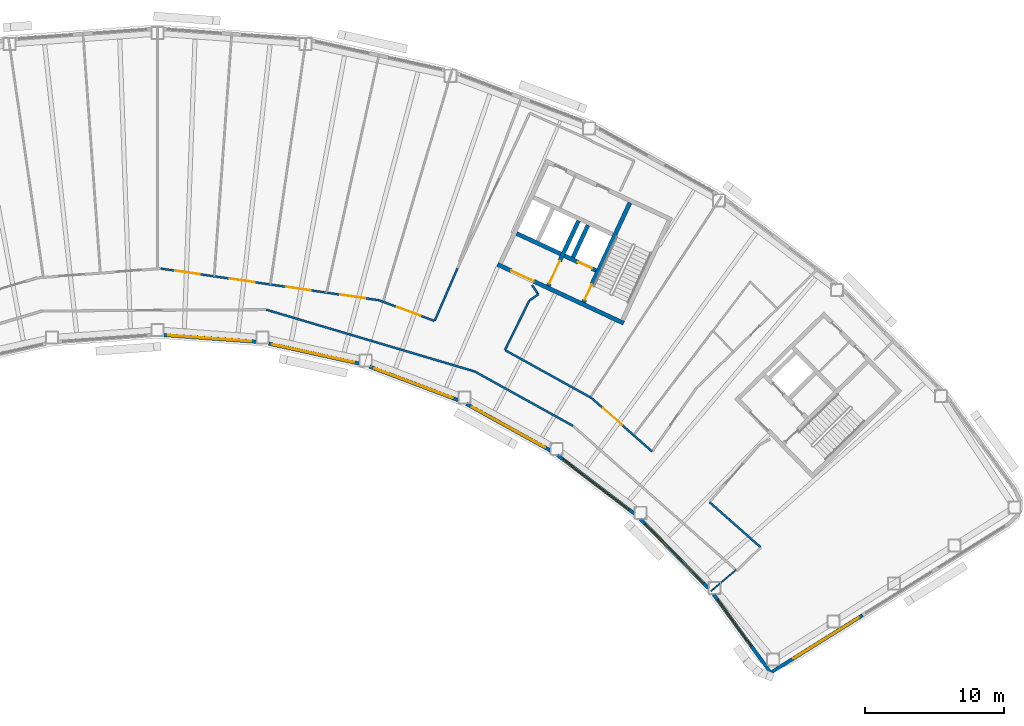
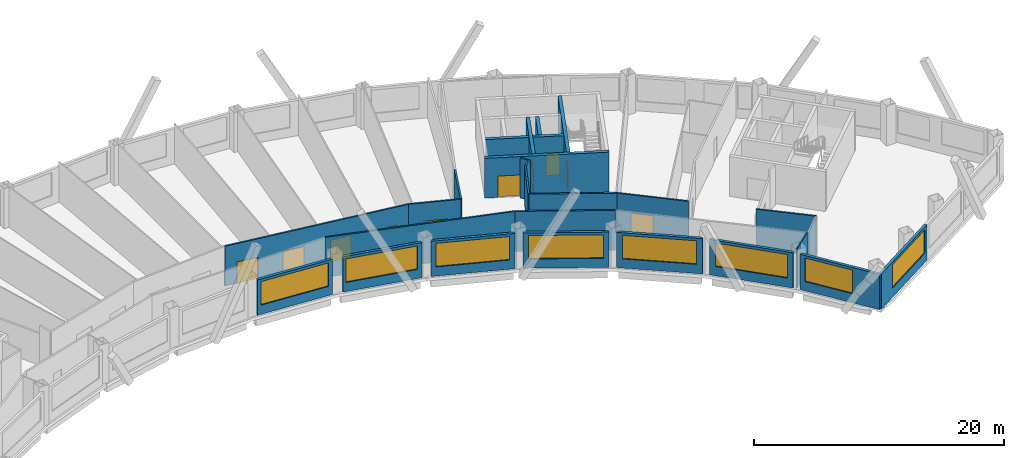
# One storey, part 8 of 13: 26 walls, 10 doors, 8 windows, 18 openings.
"""IFC4 building model written with IfcOpenShell, lengths in metres."""

from ifc_helpers import new_model, si_unit, direction, frame, frame_2d, origin, place, context, subcontext, project, spatial, rectangle, extrude, material, layer, layer_set, type_object, element, fill, save


model = new_model("IFC4")

# Units and contexts
model_context = context("Model", 3, precision=1e-05, world=origin(), true_north=direction((0.0, 1.0)))
body_context = subcontext(model_context, "Body", "Model", "MODEL_VIEW")
ifc_project = project(units=[si_unit("LENGTHUNIT", "METRE"), si_unit("AREAUNIT", "SQUARE_METRE"), si_unit("VOLUMEUNIT", "CUBIC_METRE"), si_unit("PLANEANGLEUNIT", "RADIAN"), si_unit("MASSUNIT", "GRAM", prefix="KILO")], contexts=[model_context])

# Site, building, storey
site_placement = place(None, origin())
site = spatial("IfcSite", under=ifc_project, at=site_placement, CompositionType="ELEMENT")
building_placement = place(site_placement, origin())
building = spatial("IfcBuilding", under=site, at=building_placement, Name="Tuul Gate Civic Tower", CompositionType="ELEMENT")
storey_placement = place(building_placement, frame((0.0, 0.0, 180.5)))
storey = spatial("IfcBuildingStorey", under=building, at=storey_placement, Name="Level 41", CompositionType="ELEMENT", Elevation=180.5)

# Wall, opening, door
ifc_material_1 = material(Name="Concrete C50/60", Category="concrete")
ifc_layer_1 = layer(ifc_material_1, 0.300048828125)
ifc_layer_set_1 = layer_set([ifc_layer_1], Name="Concrete C50/60")
wall_type_1 = type_object("IfcWallType", Name="Core wall C50/60", PredefinedType="SHEAR", material=ifc_layer_set_1)
wall_1_placement = place(storey_placement, frame((34.5283203125, -7.25, 0.0), z_axis=(0.0, 0.0, 1.0), x_axis=(-0.906310338845, 0.422612789327, 0.0)))
wall_1 = element("IfcWall", 1, at=wall_1_placement, inside=storey, type_object=wall_type_1, Name="Core wall", PredefinedType="SHEAR", context=body_context, shape_type="SweptSolid", body=[
    extrude(rectangle(XDim=9.999755859375, YDim=0.300048828125, at=frame_2d((5.0, 0.0))), origin(), (0.0, 0.0, 1.0), 3.89990234375),
])
opening_1_placement = place(wall_1_placement, frame((7.125, 0.0, 0.0)))
opening_1 = element("IfcOpeningElement", 2, at=opening_1_placement, cuts=wall_1, Name="Opening LB-E3-LOBBY-1", PredefinedType="OPENING", context=body_context, shape_type="SweptSolid", body=[
    extrude(rectangle(XDim=1.800048828125, YDim=2.10009765625, at=frame_2d((0.89990234375, 1.050048828125))), frame((0.0, 0.16015625, 0.0), z_axis=(0.0, -1.0, 0.0), x_axis=(1.0, 0.0, 0.0)), (0.0, 0.0, 1.0), 0.320068359375),
])
ifc_material_2 = material(Name="Steel", Category="steel")
door_type_1 = type_object("IfcDoorType", Name="Lobby door", OperationType="DOUBLE_DOOR_SINGLE_SWING", PredefinedType="DOOR", material=ifc_material_2)
door_1_placement = place(opening_1_placement, frame((1.800048828125, 0.0, 0.0), z_axis=(0.0, 0.0, 1.0), x_axis=(-1.0, 0.0, 0.0)))
door_1 = element("IfcDoor", 3, at=door_1_placement, inside=storey, type_object=door_type_1, Name="Lobby door E3-LOBBY", OperationType="DOUBLE_DOOR_SINGLE_SWING", OverallHeight=2.10009765625, OverallWidth=1.800048828125, PredefinedType="DOOR", context=body_context, shape_type="SweptSolid", body=[
    extrude(rectangle(XDim=1.800048828125, YDim=2.10009765625, at=frame_2d((0.900146484375, 1.050048828125))), frame((0.0, 0.02490234375, 0.0), z_axis=(0.0, -1.0, 0.0), x_axis=(1.0, 0.0, 0.0)), (0.0, 0.0, 1.0), 0.050048828125),
])
fill(opening_1, door_1)

wall_2_placement = place(storey_placement, frame((32.545654296875, -3.456787109375, 0.0), z_axis=(0.0, 0.0, 1.0), x_axis=(-0.906300357825, 0.42263419337, 0.0)))
wall_2 = element("IfcWall", 4, at=wall_2_placement, inside=storey, type_object=wall_type_1, Name="Core wall", PredefinedType="SHEAR", context=body_context, shape_type="SweptSolid", body=[
    extrude(rectangle(XDim=2.500244140625, YDim=0.300048828125, at=frame_2d((1.25, 0.0))), origin(), (0.0, 0.0, 1.0), 3.89990234375),
])
opening_2_placement = place(wall_2_placement, frame((0.324951171875, 0.0, 0.0)))
opening_2 = element("IfcOpeningElement", 5, at=opening_2_placement, cuts=wall_2, Name="Opening LD-FF-2", PredefinedType="OPENING", context=body_context, shape_type="SweptSolid", body=[
    extrude(rectangle(XDim=1.10009765625, YDim=2.10009765625, at=frame_2d((0.550048828125, 1.050048828125))), frame((0.0, 0.16015625, 0.0), z_axis=(0.0, -1.0, 0.0), x_axis=(1.0, 0.0, 0.0)), (0.0, 0.0, 1.0), 0.320068359375),
])
ifc_material_3 = material(Name="Stainless steel", Category="steel")
door_type_2 = type_object("IfcDoorType", Name="Landing door", OperationType="DOUBLE_DOOR_SLIDING", PredefinedType="DOOR", material=ifc_material_3)
door_2_placement = place(opening_2_placement, origin())
door_2 = element("IfcDoor", 6, at=door_2_placement, inside=storey, type_object=door_type_2, Name="Fire-fighting lift FF-2 landing door", OperationType="DOUBLE_DOOR_SLIDING", OverallHeight=2.10009765625, OverallWidth=1.10009765625, PredefinedType="DOOR", context=body_context, shape_type="SweptSolid", body=[
    extrude(rectangle(XDim=1.10009765625, YDim=2.10009765625, at=frame_2d((0.550048828125, 1.050048828125))), frame((0.0, 0.02490234375, 0.0), z_axis=(0.0, -1.0, 0.0), x_axis=(1.0, 0.0, 0.0)), (0.0, 0.0, 1.0), 0.050048828125),
])
fill(opening_2, door_2)

# Wall
wall_3_placement = place(storey_placement, frame((30.0078125, -2.2734375, 0.0), z_axis=(0.0, 0.0, 1.0), x_axis=(-0.90630071767, 0.422633421716, 0.0)))
element("IfcWall", 7, at=wall_3_placement, inside=storey, type_object=wall_type_1, Name="Core wall", PredefinedType="SHEAR", context=body_context, shape_type="SweptSolid", body=[
    extrude(rectangle(XDim=3.5, YDim=0.300048828125, at=frame_2d((1.75, 0.0))), origin(), (0.0, 0.0, 1.0), 3.89990234375),
])

# Wall, opening, door
wall_4_placement = place(storey_placement, frame((31.646240234375, -5.740478515625, 0.0), z_axis=(0.0, 0.0, 1.0), x_axis=(0.422582604137, 0.906324413596, 0.0)))
wall_4 = element("IfcWall", 8, at=wall_4_placement, inside=storey, type_object=wall_type_1, Name="Core wall", PredefinedType="SHEAR", context=body_context, shape_type="SweptSolid", body=[
    extrude(rectangle(XDim=7.89990234375, YDim=0.300048828125, at=frame_2d((3.949951171875, 0.0))), origin(), (0.0, 0.0, 1.0), 3.89990234375),
])
opening_3_placement = place(wall_4_placement, frame((0.199951171875, 0.0, 0.0)))
opening_3 = element("IfcOpeningElement", 9, at=opening_3_placement, cuts=wall_4, Name="Opening SD-ST-4", PredefinedType="OPENING", context=body_context, shape_type="SweptSolid", body=[
    extrude(rectangle(XDim=1.199951171875, YDim=2.10009765625, at=frame_2d((0.60009765625, 1.050048828125))), frame((0.0, 0.16015625, 0.0), z_axis=(0.0, -1.0, 0.0), x_axis=(1.0, 0.0, 0.0)), (0.0, 0.0, 1.0), 0.320068359375),
])
ifc_material_4 = material(Name="Steel", Category="steel")
door_type_3 = type_object("IfcDoorType", Name="Stair door", OperationType="NOTDEFINED", PredefinedType="DOOR", material=ifc_material_4)
door_3_placement = place(opening_3_placement, origin())
door_3 = element("IfcDoor", 10, at=door_3_placement, inside=storey, type_object=door_type_3, Name="Stair door ST-4", OperationType="SINGLE_SWING_LEFT", OverallHeight=2.10009765625, OverallWidth=1.199951171875, PredefinedType="DOOR", context=body_context, shape_type="SweptSolid", body=[
    extrude(rectangle(XDim=1.199951171875, YDim=2.10009765625, at=frame_2d((0.60009765625, 1.050048828125))), frame((0.0, 0.02490234375, 0.0), z_axis=(0.0, -1.0, 0.0), x_axis=(1.0, 0.0, 0.0)), (0.0, 0.0, 1.0), 0.050048828125),
])
fill(opening_3, door_3)

# Wall
wall_5_placement = place(storey_placement, frame((30.886962890625, -2.517822265625, 0.0), z_axis=(0.0, 0.0, 1.0), x_axis=(0.422612891016, 0.906310291427, 0.0)))
element("IfcWall", 11, at=wall_5_placement, inside=storey, type_object=wall_type_1, Name="Core wall", PredefinedType="SHEAR", context=body_context, shape_type="SweptSolid", body=[
    extrude(rectangle(XDim=2.550048828125, YDim=0.300048828125, at=frame_2d((1.27490234375, 0.0))), origin(), (0.0, 0.0, 1.0), 3.89990234375),
])

# Wall, opening, door
wall_6_placement = place(storey_placement, frame((29.108642578125, -4.557373046875, 0.0), z_axis=(0.0, 0.0, 1.0), x_axis=(0.422566235356, 0.90633204552, 0.0)))
wall_6 = element("IfcWall", 12, at=wall_6_placement, inside=storey, type_object=wall_type_1, Name="Core wall", PredefinedType="SHEAR", context=body_context, shape_type="SweptSolid", body=[
    extrude(rectangle(XDim=5.150146484375, YDim=0.300048828125, at=frame_2d((2.5751953125, 0.0))), origin(), (0.0, 0.0, 1.0), 3.89990234375),
])
opening_4_placement = place(wall_6_placement, frame((0.175048828125, 0.0, 0.0)))
opening_4 = element("IfcOpeningElement", 13, at=opening_4_placement, cuts=wall_6, Name="Opening LB-E3-FLOBBY-1", PredefinedType="OPENING", context=body_context, shape_type="SweptSolid", body=[
    extrude(rectangle(XDim=1.800048828125, YDim=2.10009765625, at=frame_2d((0.89990234375, 1.050048828125))), frame((0.0, 0.16015625, 0.0), z_axis=(0.0, -1.0, 0.0), x_axis=(1.0, 0.0, 0.0)), (0.0, 0.0, 1.0), 0.320068359375),
])
door_4_placement = place(opening_4_placement, frame((1.800048828125, 0.0, 0.0), z_axis=(0.0, 0.0, 1.0), x_axis=(-1.0, 0.0, 0.0)))
door_4 = element("IfcDoor", 14, at=door_4_placement, inside=storey, type_object=door_type_1, Name="Lobby door E3-FLOBBY", OperationType="DOUBLE_DOOR_SINGLE_SWING", OverallHeight=2.10009765625, OverallWidth=1.800048828125, PredefinedType="DOOR", context=body_context, shape_type="SweptSolid", body=[
    extrude(rectangle(XDim=1.800048828125, YDim=2.10009765625, at=frame_2d((0.900146484375, 1.050048828125))), frame((0.0, 0.02490234375, 0.0), z_axis=(0.0, -1.0, 0.0), x_axis=(1.0, 0.0, 0.0)), (0.0, 0.0, 1.0), 0.050048828125),
])
fill(opening_4, door_4)

ifc_material_5 = material(Name="Gypsum board partition")
ifc_layer_2 = layer(ifc_material_5, 0.14990234375)
ifc_layer_set_2 = layer_set([ifc_layer_2], Name="Gypsum board partition")
wall_type_2 = type_object("IfcWallType", Name="Corridor wall P150", PredefinedType="PARTITIONING", material=ifc_layer_set_2)
wall_7_placement = place(storey_placement, frame((32.206298828125, -12.62255859375, 0.0), z_axis=(0.0, 0.0, 1.0), x_axis=(0.749813421026, -0.661649328307, 0.0)))
wall_7 = element("IfcWall", 15, at=wall_7_placement, inside=storey, type_object=wall_type_2, Name="p003", PredefinedType="PARTITIONING", context=body_context, shape_type="SweptSolid", body=[
    extrude(rectangle(XDim=5.831787109375, YDim=0.14990234375, at=frame_2d((2.916015625, 0.0))), origin(), (0.0, 0.0, 1.0), 3.89990234375),
])
opening_5_placement = place(wall_7_placement, frame((1.123046875, 0.0, 0.0)))
opening_5 = element("IfcOpeningElement", 16, at=opening_5_placement, cuts=wall_7, Name="Opening O-D03", PredefinedType="OPENING", context=body_context, shape_type="SweptSolid", body=[
    extrude(rectangle(XDim=1.800048828125, YDim=2.10009765625, at=frame_2d((0.89990234375, 1.050048828125))), frame((0.0, 0.0849609375, 0.0), z_axis=(0.0, -1.0, 0.0), x_axis=(1.0, 0.0, 0.0)), (0.0, 0.0, 1.0), 0.169921875),
])
ifc_material_6 = material(Name="Timber door leaf, double", Category="wood")
door_type_4 = type_object("IfcDoorType", Name="Door D18", OperationType="DOUBLE_DOOR_SINGLE_SWING", PredefinedType="DOOR", material=ifc_material_6)
door_5_placement = place(opening_5_placement, origin())
door_5 = element("IfcDoor", 17, at=door_5_placement, inside=storey, type_object=door_type_4, Name="Door O-D03", OperationType="DOUBLE_DOOR_SINGLE_SWING", OverallHeight=2.10009765625, OverallWidth=1.800048828125, PredefinedType="DOOR", context=body_context, shape_type="SweptSolid", body=[
    extrude(rectangle(XDim=1.800048828125, YDim=2.10009765625, at=frame_2d((0.89990234375, 1.050048828125))), frame((0.0, 0.02490234375, 0.0), z_axis=(0.0, -1.0, 0.0), x_axis=(1.0, 0.0, 0.0)), (0.0, 0.0, 1.0), 0.050048828125),
])
fill(opening_5, door_5)

# Walls
wall_8_placement = place(storey_placement, frame((40.717041015625, -20.132568359375, 0.0), z_axis=(0.0, 0.0, 1.0), x_axis=(0.749820408887, -0.661641409237, 0.0)))
element("IfcWall", 18, at=wall_8_placement, inside=storey, type_object=wall_type_2, Name="p004", PredefinedType="PARTITIONING", context=body_context, shape_type="SweptSolid", body=[
    extrude(rectangle(XDim=4.900634765625, YDim=0.14990234375, at=frame_2d((2.4501953125, 0.0))), origin(), (0.0, 0.0, 1.0), 3.89990234375),
])
wall_9_placement = place(storey_placement, frame((26.01025390625, -9.193603515625, 0.0), z_axis=(0.0, 0.0, 1.0), x_axis=(0.874952938099, -0.484207967832, 0.0)))
element("IfcWall", 19, at=wall_9_placement, inside=storey, type_object=wall_type_2, Name="p014", PredefinedType="PARTITIONING", context=body_context, shape_type="SweptSolid", body=[
    extrude(rectangle(XDim=7.08154296875, YDim=0.14990234375, at=frame_2d((3.540771484375, 0.0))), origin(), (0.0, 0.0, 1.0), 3.89990234375),
])
wall_10_placement = place(storey_placement, frame((26.001953125, -9.167236328125, 0.0), z_axis=(0.0, 0.0, 1.0), x_axis=(0.441987219409, 0.897021347505, 0.0)))
element("IfcWall", 20, at=wall_10_placement, inside=storey, type_object=wall_type_2, Name="p017", PredefinedType="PARTITIONING", context=body_context, shape_type="SweptSolid", body=[
    extrude(rectangle(XDim=3.9482421875, YDim=0.14990234375, at=frame_2d((1.97412109375, 0.0))), origin(), (0.0, 0.0, 1.0), 3.89990234375),
])
wall_11_placement = place(storey_placement, frame((27.753662109375, -5.617919921875, 0.0), z_axis=(0.0, 0.0, 1.0), x_axis=(0.823348675127, 0.567535865973, 0.0)))
element("IfcWall", 21, at=wall_11_placement, inside=storey, type_object=wall_type_2, Name="p018", PredefinedType="PARTITIONING", context=body_context, shape_type="SweptSolid", body=[
    extrude(rectangle(XDim=0.78173828125, YDim=0.14990234375, at=frame_2d((0.390869140625, 0.0))), origin(), (0.0, 0.0, 1.0), 3.89990234375),
])
wall_12_placement = place(storey_placement, frame((27.939453125, -4.509033203125, 0.0), z_axis=(0.0, 0.0, 1.0), x_axis=(0.567478453598, -0.823388246638, 0.0)))
element("IfcWall", 22, at=wall_12_placement, inside=storey, type_object=wall_type_2, Name="p019", PredefinedType="PARTITIONING", context=body_context, shape_type="SweptSolid", body=[
    extrude(rectangle(XDim=0.80712890625, YDim=0.14990234375, at=frame_2d((0.403564453125, 0.0))), origin(), (0.0, 0.0, 1.0), 3.89990234375),
])
wall_13_placement = place(storey_placement, frame((20.9423828125, -7.07421875, 0.0), z_axis=(0.0, 0.0, 1.0), x_axis=(0.397708945577, 0.917511631865, 0.0)))
element("IfcWall", 23, at=wall_13_placement, inside=storey, type_object=wall_type_2, Name="p025", PredefinedType="PARTITIONING", context=body_context, shape_type="SweptSolid", body=[
    extrude(rectangle(XDim=4.1171875, YDim=0.14990234375, at=frame_2d((2.05859375, 0.0))), origin(), (0.0, 0.0, 1.0), 3.89990234375),
])

# Wall, opening, door
wall_14_placement = place(storey_placement, frame((16.92041015625, -5.599609375, 0.0), z_axis=(0.0, 0.0, 1.0), x_axis=(0.937337134743, -0.348423730294, 0.0)))
wall_14 = element("IfcWall", 24, at=wall_14_placement, inside=storey, type_object=wall_type_2, Name="p028", PredefinedType="PARTITIONING", context=body_context, shape_type="SweptSolid", body=[
    extrude(rectangle(XDim=4.263671875, YDim=0.14990234375, at=frame_2d((2.1318359375, 0.0))), origin(), (0.0, 0.0, 1.0), 3.89990234375),
])
opening_6_placement = place(wall_14_placement, frame((1.39599609375, 0.0, 0.0)))
opening_6 = element("IfcOpeningElement", 25, at=opening_6_placement, cuts=wall_14, Name="Opening O-D05", PredefinedType="OPENING", context=body_context, shape_type="SweptSolid", body=[
    extrude(rectangle(XDim=1.800048828125, YDim=2.10009765625, at=frame_2d((0.89990234375, 1.050048828125))), frame((0.0, 0.0849609375, 0.0), z_axis=(0.0, -1.0, 0.0), x_axis=(1.0, 0.0, 0.0)), (0.0, 0.0, 1.0), 0.169921875),
])
door_6_placement = place(opening_6_placement, origin())
door_6 = element("IfcDoor", 26, at=door_6_placement, inside=storey, type_object=door_type_4, Name="Door O-D05", OperationType="DOUBLE_DOOR_SINGLE_SWING", OverallHeight=2.10009765625, OverallWidth=1.800048828125, PredefinedType="DOOR", context=body_context, shape_type="SweptSolid", body=[
    extrude(rectangle(XDim=1.800048828125, YDim=2.10009765625, at=frame_2d((0.89990234375, 1.050048828125))), frame((0.0, 0.02490234375, 0.0), z_axis=(0.0, -1.0, 0.0), x_axis=(1.0, 0.0, 0.0)), (0.0, 0.0, 1.0), 0.050048828125),
])
fill(opening_6, door_6)

# Wall, openings, doors
wall_15_placement = place(storey_placement, frame((1.2314453125, -3.321044921875, 0.0), z_axis=(0.0, 0.0, 1.0), x_axis=(0.98961816438, -0.143721566678, 0.0)))
wall_15 = element("IfcWall", 27, at=wall_15_placement, inside=storey, type_object=wall_type_2, Name="p030", PredefinedType="PARTITIONING", context=body_context, shape_type="SweptSolid", body=[
    extrude(rectangle(XDim=15.852294921875, YDim=0.14990234375, at=frame_2d((7.92626953125, 0.0))), origin(), (0.0, 0.0, 1.0), 3.89990234375),
])
opening_7_placement = place(wall_15_placement, frame((13.0537109375, 0.0, 0.0)))
opening_7 = element("IfcOpeningElement", 28, at=opening_7_placement, cuts=wall_15, Name="Opening O-D06", PredefinedType="OPENING", context=body_context, shape_type="SweptSolid", body=[
    extrude(rectangle(XDim=1.800048828125, YDim=2.10009765625, at=frame_2d((0.89990234375, 1.050048828125))), frame((0.0, 0.0849609375, 0.0), z_axis=(0.0, -1.0, 0.0), x_axis=(1.0, 0.0, 0.0)), (0.0, 0.0, 1.0), 0.169921875),
])
opening_8_placement = place(wall_15_placement, frame((9.1123046875, 0.0, 0.0)))
opening_8 = element("IfcOpeningElement", 29, at=opening_8_placement, cuts=wall_15, Name="Opening O-D07", PredefinedType="OPENING", context=body_context, shape_type="SweptSolid", body=[
    extrude(rectangle(XDim=1.800048828125, YDim=2.10009765625, at=frame_2d((0.89990234375, 1.050048828125))), frame((0.0, 0.0849609375, 0.0), z_axis=(0.0, -1.0, 0.0), x_axis=(1.0, 0.0, 0.0)), (0.0, 0.0, 1.0), 0.169921875),
])
opening_9_placement = place(wall_15_placement, frame((5.02685546875, 0.0, 0.0)))
opening_9 = element("IfcOpeningElement", 30, at=opening_9_placement, cuts=wall_15, Name="Opening O-D08", PredefinedType="OPENING", context=body_context, shape_type="SweptSolid", body=[
    extrude(rectangle(XDim=1.800048828125, YDim=2.10009765625, at=frame_2d((0.89990234375, 1.050048828125))), frame((0.0, 0.0849609375, 0.0), z_axis=(0.0, -1.0, 0.0), x_axis=(1.0, 0.0, 0.0)), (0.0, 0.0, 1.0), 0.169921875),
])
opening_10_placement = place(wall_15_placement, frame((1.0419921875, 0.0, 0.0)))
opening_10 = element("IfcOpeningElement", 31, at=opening_10_placement, cuts=wall_15, Name="Opening O-D09", PredefinedType="OPENING", context=body_context, shape_type="SweptSolid", body=[
    extrude(rectangle(XDim=1.800048828125, YDim=2.10009765625, at=frame_2d((0.89990234375, 1.050048828125))), frame((0.0, 0.0849609375, 0.0), z_axis=(0.0, -1.0, 0.0), x_axis=(1.0, 0.0, 0.0)), (0.0, 0.0, 1.0), 0.169921875),
])
door_7_placement = place(opening_7_placement, origin())
door_7 = element("IfcDoor", 32, at=door_7_placement, inside=storey, type_object=door_type_4, Name="Door O-D06", OperationType="DOUBLE_DOOR_SINGLE_SWING", OverallHeight=2.10009765625, OverallWidth=1.800048828125, PredefinedType="DOOR", context=body_context, shape_type="SweptSolid", body=[
    extrude(rectangle(XDim=1.800048828125, YDim=2.10009765625, at=frame_2d((0.89990234375, 1.050048828125))), frame((0.0, 0.02490234375, 0.0), z_axis=(0.0, -1.0, 0.0), x_axis=(1.0, 0.0, 0.0)), (0.0, 0.0, 1.0), 0.050048828125),
])
fill(opening_7, door_7)
door_8_placement = place(opening_8_placement, origin())
door_8 = element("IfcDoor", 33, at=door_8_placement, inside=storey, type_object=door_type_4, Name="Door O-D07", OperationType="DOUBLE_DOOR_SINGLE_SWING", OverallHeight=2.10009765625, OverallWidth=1.800048828125, PredefinedType="DOOR", context=body_context, shape_type="SweptSolid", body=[
    extrude(rectangle(XDim=1.800048828125, YDim=2.10009765625, at=frame_2d((0.89990234375, 1.050048828125))), frame((0.0, 0.02490234375, 0.0), z_axis=(0.0, -1.0, 0.0), x_axis=(1.0, 0.0, 0.0)), (0.0, 0.0, 1.0), 0.050048828125),
])
fill(opening_8, door_8)
door_9_placement = place(opening_9_placement, origin())
door_9 = element("IfcDoor", 34, at=door_9_placement, inside=storey, type_object=door_type_4, Name="Door O-D08", OperationType="DOUBLE_DOOR_SINGLE_SWING", OverallHeight=2.10009765625, OverallWidth=1.800048828125, PredefinedType="DOOR", context=body_context, shape_type="SweptSolid", body=[
    extrude(rectangle(XDim=1.800048828125, YDim=2.10009765625, at=frame_2d((0.89990234375, 1.050048828125))), frame((0.0, 0.02490234375, 0.0), z_axis=(0.0, -1.0, 0.0), x_axis=(1.0, 0.0, 0.0)), (0.0, 0.0, 1.0), 0.050048828125),
])
fill(opening_9, door_9)
door_10_placement = place(opening_10_placement, origin())
door_10 = element("IfcDoor", 35, at=door_10_placement, inside=storey, type_object=door_type_4, Name="Door O-D09", OperationType="DOUBLE_DOOR_SINGLE_SWING", OverallHeight=2.10009765625, OverallWidth=1.800048828125, PredefinedType="DOOR", context=body_context, shape_type="SweptSolid", body=[
    extrude(rectangle(XDim=1.800048828125, YDim=2.10009765625, at=frame_2d((0.89990234375, 1.050048828125))), frame((0.0, 0.02490234375, 0.0), z_axis=(0.0, -1.0, 0.0), x_axis=(1.0, 0.0, 0.0)), (0.0, 0.0, 1.0), 0.050048828125),
])
fill(opening_10, door_10)

# Walls
wall_16_placement = place(storey_placement, frame((8.817138671875, -6.277587890625, 0.0), z_axis=(0.0, 0.0, 1.0), x_axis=(0.958771503683, -0.284178119718, 0.0)))
element("IfcWall", 36, at=wall_16_placement, inside=storey, type_object=wall_type_2, Name="p064", PredefinedType="PARTITIONING", context=body_context, shape_type="SweptSolid", body=[
    extrude(rectangle(XDim=15.645263671875, YDim=0.14990234375, at=frame_2d((7.82275390625, 0.0))), origin(), (0.0, 0.0, 1.0), 3.89990234375),
])
wall_17_placement = place(storey_placement, frame((23.8212890625, -10.725341796875, 0.0), z_axis=(0.0, 0.0, 1.0), x_axis=(0.874970030344, -0.484177081243, 0.0)))
element("IfcWall", 37, at=wall_17_placement, inside=storey, type_object=wall_type_2, Name="p065", PredefinedType="PARTITIONING", context=body_context, shape_type="SweptSolid", body=[
    extrude(rectangle(XDim=8.078369140625, YDim=0.14990234375, at=frame_2d((4.0390625, 0.0))), origin(), (0.0, 0.0, 1.0), 3.89990234375),
])

# Wall, opening, window
ifc_material_7 = material(Name="Precast concrete C40/50", Category="concrete")
ifc_layer_3 = layer(ifc_material_7, 0.25)
ifc_layer_set_3 = layer_set([ifc_layer_3], Name="Precast concrete C40/50")
wall_type_3 = type_object("IfcWallType", Name="External wall", PredefinedType="STANDARD", material=ifc_layer_set_3)
wall_18_placement = place(storey_placement, frame((1.43994140625, -8.098388671875, 0.0), z_axis=(0.0, 0.0, 1.0), x_axis=(0.99738574908, -0.072261106633, 0.0)))
wall_18 = element("IfcWall", 38, at=wall_18_placement, inside=storey, type_object=wall_type_3, Name="External wall", PredefinedType="STANDARD", context=body_context, shape_type="SweptSolid", body=[
    extrude(rectangle(XDim=6.689697265625, YDim=0.25, at=frame_2d((3.3447265625, 0.0))), origin(), (0.0, 0.0, 1.0), 3.449951171875),
])
opening_11_placement = place(wall_18_placement, frame((0.3212890625, 0.0, 0.89990234375)))
opening_11 = element("IfcOpeningElement", 39, at=opening_11_placement, cuts=wall_18, Name="Opening W26", PredefinedType="OPENING", context=body_context, shape_type="SweptSolid", body=[
    extrude(rectangle(XDim=6.0, YDim=2.300048828125, at=frame_2d((3.0, 1.14990234375))), frame((0.0, 0.135009765625, 0.0), z_axis=(0.0, -1.0, 0.0), x_axis=(1.0, 0.0, 0.0)), (0.0, 0.0, 1.0), 0.27001953125),
])
ifc_material_8 = material(Name="Glass", Category="glass")
window_type_1 = type_object("IfcWindowType", Name="Window W26 6000 x 2300", PartitioningType="SINGLE_PANEL", PredefinedType="WINDOW", material=ifc_material_8)
window_1_placement = place(opening_11_placement, origin())
window_1 = element("IfcWindow", 40, at=window_1_placement, inside=storey, type_object=window_type_1, Name="Window", OverallHeight=2.300048828125, OverallWidth=6.0, PartitioningType="SINGLE_PANEL", PredefinedType="WINDOW", context=body_context, shape_type="SweptSolid", body=[
    extrude(rectangle(XDim=6.0, YDim=2.300048828125, at=frame_2d((3.0, 1.14990234375))), frame((0.0, 0.030029296875, 0.0), z_axis=(0.0, -1.0, 0.0), x_axis=(1.0, 0.0, 0.0)), (0.0, 0.0, 1.0), 0.06005859375),
])
fill(opening_11, window_1)

wall_19_placement = place(storey_placement, frame((9.011962890625, -8.720458984375, 0.0), z_axis=(0.0, 0.0, 1.0), x_axis=(0.976558520258, -0.21525207667, 0.0)))
wall_19 = element("IfcWall", 41, at=wall_19_placement, inside=storey, type_object=wall_type_3, Name="External wall", PredefinedType="STANDARD", context=body_context, shape_type="SweptSolid", body=[
    extrude(rectangle(XDim=6.670166015625, YDim=0.25, at=frame_2d((3.3349609375, 0.0))), origin(), (0.0, 0.0, 1.0), 3.449951171875),
])
opening_12_placement = place(wall_19_placement, frame((0.263427734375, 0.0, 0.89990234375)))
opening_12 = element("IfcOpeningElement", 42, at=opening_12_placement, cuts=wall_19, Name="Opening W26", PredefinedType="OPENING", context=body_context, shape_type="SweptSolid", body=[
    extrude(rectangle(XDim=6.0, YDim=2.300048828125, at=frame_2d((3.0, 1.14990234375))), frame((0.0, 0.135009765625, 0.0), z_axis=(0.0, -1.0, 0.0), x_axis=(1.0, 0.0, 0.0)), (0.0, 0.0, 1.0), 0.27001953125),
])
window_2_placement = place(opening_12_placement, origin())
window_2 = element("IfcWindow", 43, at=window_2_placement, inside=storey, type_object=window_type_1, Name="Window", OverallHeight=2.300048828125, OverallWidth=6.0, PartitioningType="SINGLE_PANEL", PredefinedType="WINDOW", context=body_context, shape_type="SweptSolid", body=[
    extrude(rectangle(XDim=6.0, YDim=2.300048828125, at=frame_2d((3.0, 1.14990234375))), frame((0.0, 0.030029296875, 0.0), z_axis=(0.0, -1.0, 0.0), x_axis=(1.0, 0.0, 0.0)), (0.0, 0.0, 1.0), 0.06005859375),
])
fill(opening_12, window_2)

wall_20_placement = place(storey_placement, frame((16.248046875, -10.373046875, 0.0), z_axis=(0.0, 0.0, 1.0), x_axis=(0.935360534404, -0.353695731779, 0.0)))
wall_20 = element("IfcWall", 44, at=wall_20_placement, inside=storey, type_object=wall_type_3, Name="External wall", PredefinedType="STANDARD", context=body_context, shape_type="SweptSolid", body=[
    extrude(rectangle(XDim=6.81982421875, YDim=0.25, at=frame_2d((3.409912109375, 0.0))), origin(), (0.0, 0.0, 1.0), 3.449951171875),
])
opening_13_placement = place(wall_20_placement, frame((0.3818359375, 0.0, 0.89990234375)))
opening_13 = element("IfcOpeningElement", 45, at=opening_13_placement, cuts=wall_20, Name="Opening W26", PredefinedType="OPENING", context=body_context, shape_type="SweptSolid", body=[
    extrude(rectangle(XDim=6.0, YDim=2.300048828125, at=frame_2d((3.0, 1.14990234375))), frame((0.0, 0.135009765625, 0.0), z_axis=(0.0, -1.0, 0.0), x_axis=(1.0, 0.0, 0.0)), (0.0, 0.0, 1.0), 0.27001953125),
])
window_3_placement = place(opening_13_placement, origin())
window_3 = element("IfcWindow", 46, at=window_3_placement, inside=storey, type_object=window_type_1, Name="Window", OverallHeight=2.300048828125, OverallWidth=6.0, PartitioningType="SINGLE_PANEL", PredefinedType="WINDOW", context=body_context, shape_type="SweptSolid", body=[
    extrude(rectangle(XDim=6.0, YDim=2.300048828125, at=frame_2d((3.0, 1.14990234375))), frame((0.0, 0.030029296875, 0.0), z_axis=(0.0, -1.0, 0.0), x_axis=(1.0, 0.0, 0.0)), (0.0, 0.0, 1.0), 0.06005859375),
])
fill(opening_13, window_3)

wall_21_placement = place(storey_placement, frame((23.21875, -13.05810546875, 0.0), z_axis=(0.0, 0.0, 1.0), x_axis=(0.874638200543, -0.484776255763, 0.0)))
wall_21 = element("IfcWall", 47, at=wall_21_placement, inside=storey, type_object=wall_type_3, Name="External wall", PredefinedType="STANDARD", context=body_context, shape_type="SweptSolid", body=[
    extrude(rectangle(XDim=6.9140625, YDim=0.25, at=frame_2d((3.45703125, 0.0))), origin(), (0.0, 0.0, 1.0), 3.449951171875),
])
opening_14_placement = place(wall_21_placement, frame((0.453369140625, 0.0, 0.89990234375)))
opening_14 = element("IfcOpeningElement", 48, at=opening_14_placement, cuts=wall_21, Name="Opening W26", PredefinedType="OPENING", context=body_context, shape_type="SweptSolid", body=[
    extrude(rectangle(XDim=6.0, YDim=2.300048828125, at=frame_2d((3.0, 1.14990234375))), frame((0.0, 0.135009765625, 0.0), z_axis=(0.0, -1.0, 0.0), x_axis=(1.0, 0.0, 0.0)), (0.0, 0.0, 1.0), 0.27001953125),
])
window_4_placement = place(opening_14_placement, origin())
window_4 = element("IfcWindow", 49, at=window_4_placement, inside=storey, type_object=window_type_1, Name="Window", OverallHeight=2.300048828125, OverallWidth=6.0, PartitioningType="SINGLE_PANEL", PredefinedType="WINDOW", context=body_context, shape_type="SweptSolid", body=[
    extrude(rectangle(XDim=6.0, YDim=2.300048828125, at=frame_2d((3.0, 1.14990234375))), frame((0.0, 0.030029296875, 0.0), z_axis=(0.0, -1.0, 0.0), x_axis=(1.0, 0.0, 0.0)), (0.0, 0.0, 1.0), 0.06005859375),
])
fill(opening_14, window_4)

wall_22_placement = place(storey_placement, frame((29.770751953125, -16.738037109375, 0.0), z_axis=(0.0, 0.0, 1.0), x_axis=(0.795583108554, -0.605844466331, 0.0)))
wall_22 = element("IfcWall", 50, at=wall_22_placement, inside=storey, type_object=wall_type_3, Name="External wall", PredefinedType="STANDARD", context=body_context, shape_type="SweptSolid", body=[
    extrude(rectangle(XDim=6.95849609375, YDim=0.25, at=frame_2d((3.479248046875, 0.0))), origin(), (0.0, 0.0, 1.0), 3.449951171875),
])
opening_15_placement = place(wall_22_placement, frame((0.480224609375, 0.0, 0.89990234375)))
opening_15 = element("IfcOpeningElement", 51, at=opening_15_placement, cuts=wall_22, Name="Opening W26", PredefinedType="OPENING", context=body_context, shape_type="SweptSolid", body=[
    extrude(rectangle(XDim=6.0, YDim=2.300048828125, at=frame_2d((3.0, 1.14990234375))), frame((0.0, 0.135009765625, 0.0), z_axis=(0.0, -1.0, 0.0), x_axis=(1.0, 0.0, 0.0)), (0.0, 0.0, 1.0), 0.27001953125),
])
window_5_placement = place(opening_15_placement, origin())
window_5 = element("IfcWindow", 52, at=window_5_placement, inside=storey, type_object=window_type_1, Name="Window", OverallHeight=2.300048828125, OverallWidth=6.0, PartitioningType="SINGLE_PANEL", PredefinedType="WINDOW", context=body_context, shape_type="SweptSolid", body=[
    extrude(rectangle(XDim=6.0, YDim=2.300048828125, at=frame_2d((3.0, 1.14990234375))), frame((0.0, 0.030029296875, 0.0), z_axis=(0.0, -1.0, 0.0), x_axis=(1.0, 0.0, 0.0)), (0.0, 0.0, 1.0), 0.06005859375),
])
fill(opening_15, window_5)

wall_23_placement = place(storey_placement, frame((35.741943359375, -21.3369140625, 0.0), z_axis=(0.0, 0.0, 1.0), x_axis=(0.700101181113, -0.71404365147, 0.0)))
wall_23 = element("IfcWall", 53, at=wall_23_placement, inside=storey, type_object=wall_type_3, Name="External wall", PredefinedType="STANDARD", context=body_context, shape_type="SweptSolid", body=[
    extrude(rectangle(XDim=6.96923828125, YDim=0.25, at=frame_2d((3.484619140625, 0.0))), origin(), (0.0, 0.0, 1.0), 3.449951171875),
])
opening_16_placement = place(wall_23_placement, frame((0.485107421875, 0.0, 0.89990234375)))
opening_16 = element("IfcOpeningElement", 54, at=opening_16_placement, cuts=wall_23, Name="Opening W26", PredefinedType="OPENING", context=body_context, shape_type="SweptSolid", body=[
    extrude(rectangle(XDim=6.0, YDim=2.300048828125, at=frame_2d((3.0, 1.14990234375))), frame((0.0, 0.135009765625, 0.0), z_axis=(0.0, -1.0, 0.0), x_axis=(1.0, 0.0, 0.0)), (0.0, 0.0, 1.0), 0.27001953125),
])
window_6_placement = place(opening_16_placement, origin())
window_6 = element("IfcWindow", 55, at=window_6_placement, inside=storey, type_object=window_type_1, Name="Window", OverallHeight=2.300048828125, OverallWidth=6.0, PartitioningType="SINGLE_PANEL", PredefinedType="WINDOW", context=body_context, shape_type="SweptSolid", body=[
    extrude(rectangle(XDim=6.0, YDim=2.300048828125, at=frame_2d((3.0, 1.14990234375))), frame((0.0, 0.030029296875, 0.0), z_axis=(0.0, -1.0, 0.0), x_axis=(1.0, 0.0, 0.0)), (0.0, 0.0, 1.0), 0.06005859375),
])
fill(opening_16, window_6)

wall_24_placement = place(storey_placement, frame((40.997802734375, -26.759033203125, 0.0), z_axis=(0.0, 0.0, 1.0), x_axis=(0.589748783254, -0.807586758591, 0.0)))
wall_24 = element("IfcWall", 56, at=wall_24_placement, inside=storey, type_object=wall_type_3, Name="External wall", PredefinedType="STANDARD", context=body_context, shape_type="SweptSolid", body=[
    extrude(rectangle(XDim=6.97216796875, YDim=0.25, at=frame_2d((3.486083984375, 0.0))), origin(), (0.0, 0.0, 1.0), 3.449951171875),
])
opening_17_placement = place(wall_24_placement, frame((0.46435546875, 0.0, 0.89990234375)))
opening_17 = element("IfcOpeningElement", 57, at=opening_17_placement, cuts=wall_24, Name="Opening W25", PredefinedType="OPENING", context=body_context, shape_type="SweptSolid", body=[
    extrude(rectangle(XDim=4.14990234375, YDim=2.300048828125, at=frame_2d((2.074951171875, 1.14990234375))), frame((0.0, 0.135009765625, 0.0), z_axis=(0.0, -1.0, 0.0), x_axis=(1.0, 0.0, 0.0)), (0.0, 0.0, 1.0), 0.27001953125),
])
ifc_material_9 = material(Name="Glass", Category="glass")
window_type_2 = type_object("IfcWindowType", Name="Window W25 4150 x 2300", PartitioningType="SINGLE_PANEL", PredefinedType="WINDOW", material=ifc_material_9)
window_7_placement = place(opening_17_placement, origin())
window_7 = element("IfcWindow", 58, at=window_7_placement, inside=storey, type_object=window_type_2, Name="Window", OverallHeight=2.300048828125, OverallWidth=4.14990234375, PartitioningType="SINGLE_PANEL", PredefinedType="WINDOW", context=body_context, shape_type="SweptSolid", body=[
    extrude(rectangle(XDim=4.14990234375, YDim=2.300048828125, at=frame_2d((2.074951171875, 1.14990234375))), frame((0.0, 0.030029296875, 0.0), z_axis=(0.0, -1.0, 0.0), x_axis=(1.0, 0.0, 0.0)), (0.0, 0.0, 1.0), 0.06005859375),
])
fill(opening_17, window_7)

wall_25_placement = place(storey_placement, frame((45.109619140625, -32.3896484375, 0.0), z_axis=(0.0, 0.0, 1.0), x_axis=(0.848047613046, 0.52992003737, 0.0)))
wall_25 = element("IfcWall", 59, at=wall_25_placement, inside=storey, type_object=wall_type_3, Name="External wall", PredefinedType="STANDARD", context=body_context, shape_type="SweptSolid", body=[
    extrude(rectangle(XDim=7.787841796875, YDim=0.25, at=frame_2d((3.89404296875, 0.0))), origin(), (0.0, 0.0, 1.0), 3.449951171875),
])
opening_18_placement = place(wall_25_placement, frame((1.92138671875, 0.0, 0.89990234375)))
opening_18 = element("IfcOpeningElement", 60, at=opening_18_placement, cuts=wall_25, Name="Opening W24", PredefinedType="OPENING", context=body_context, shape_type="SweptSolid", body=[
    extrude(rectangle(XDim=5.550048828125, YDim=2.300048828125, at=frame_2d((2.77490234375, 1.14990234375))), frame((0.0, 0.135009765625, 0.0), z_axis=(0.0, -1.0, 0.0), x_axis=(1.0, 0.0, 0.0)), (0.0, 0.0, 1.0), 0.27001953125),
])
ifc_material_10 = material(Name="Glass", Category="glass")
window_type_3 = type_object("IfcWindowType", Name="Window W24 5550 x 2300", PartitioningType="SINGLE_PANEL", PredefinedType="WINDOW", material=ifc_material_10)
window_8_placement = place(opening_18_placement, origin())
window_8 = element("IfcWindow", 61, at=window_8_placement, inside=storey, type_object=window_type_3, Name="Window", OverallHeight=2.300048828125, OverallWidth=5.550048828125, PartitioningType="SINGLE_PANEL", PredefinedType="WINDOW", context=body_context, shape_type="SweptSolid", body=[
    extrude(rectangle(XDim=5.550048828125, YDim=2.300048828125, at=frame_2d((2.77490234375, 1.14990234375))), frame((0.0, 0.030029296875, 0.0), z_axis=(0.0, -1.0, 0.0), x_axis=(1.0, 0.0, 0.0)), (0.0, 0.0, 1.0), 0.06005859375),
])
fill(opening_18, window_8)

# Wall
ifc_material_11 = material(Name="Gypsum board partition")
ifc_layer_4 = layer(ifc_material_11, 0.10009765625)
ifc_layer_set_4 = layer_set([ifc_layer_4], Name="Gypsum board partition")
wall_type_4 = type_object("IfcWallType", Name="Partition P100", PredefinedType="PARTITIONING", material=ifc_layer_set_4)
wall_26_placement = place(storey_placement, frame((40.81884765625, -26.5224609375, 0.0), z_axis=(0.0, 0.0, 1.0), x_axis=(0.762839246775, 0.646588187009, 0.0)))
element("IfcWall", 62, at=wall_26_placement, inside=storey, type_object=wall_type_4, Name="p001", PredefinedType="PARTITIONING", context=body_context, shape_type="SweptSolid", body=[
    extrude(rectangle(XDim=2.354248046875, YDim=0.10009765625, at=frame_2d((1.17724609375, 0.0))), origin(), (0.0, 0.0, 1.0), 3.89990234375),
])

save(model, "model.ifc")
